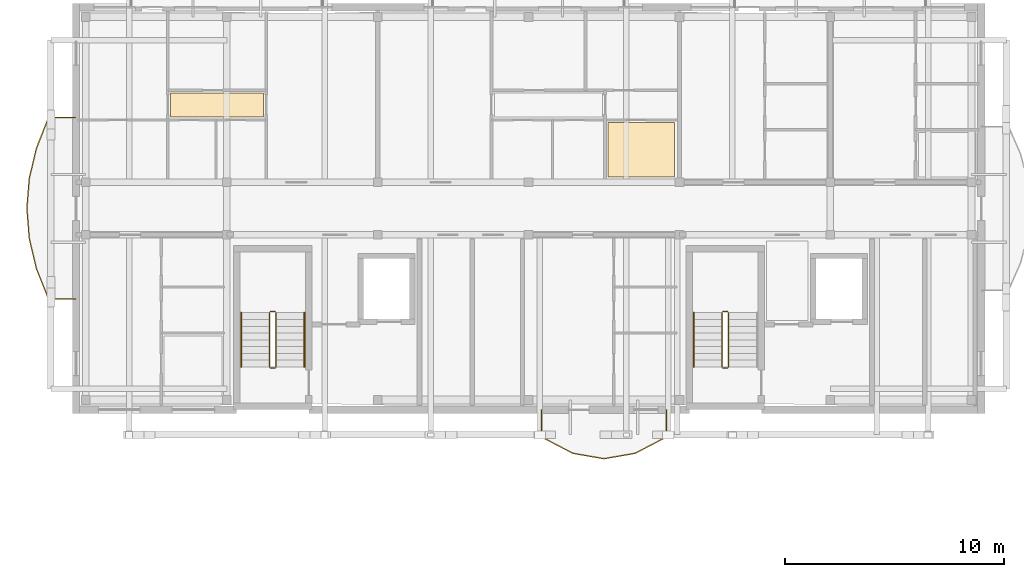
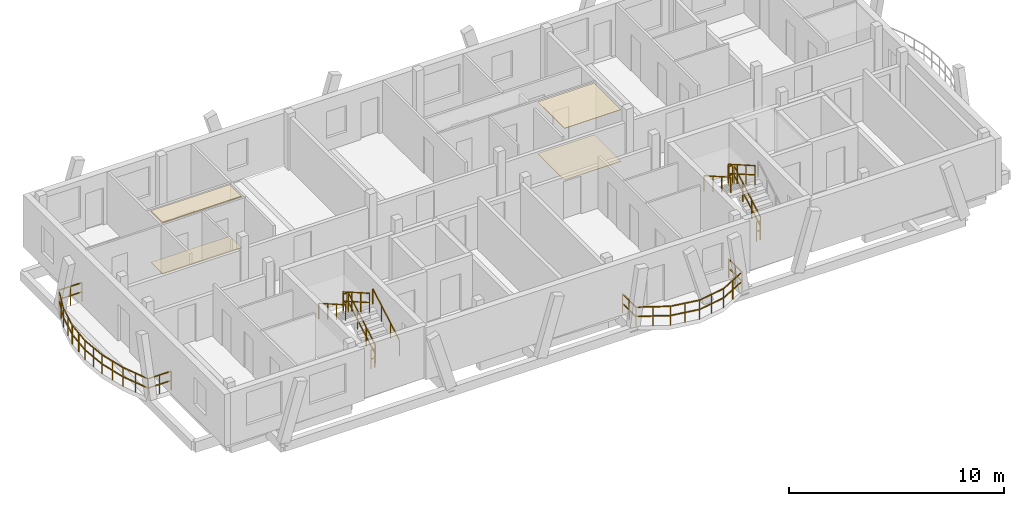
# One storey, part 26 of 29: 13 railings, 4 coverings.
"""IFC4 building model written with IfcOpenShell, lengths in metres."""

from ifc_helpers import new_model, si_unit, direction, frame, origin, origin_2d, place, context, subcontext, project, spatial, polyline, rectangle, outline, extrude, material, layer, layer_set, type_object, element, save


model = new_model("IFC4")

# Units and contexts
model_context = context("Model", 3, precision=1e-05, world=origin(), true_north=direction((0.0, 1.0)))
body_context = subcontext(model_context, "Body", "Model", "MODEL_VIEW")
ifc_project = project(units=[si_unit("LENGTHUNIT", "METRE"), si_unit("AREAUNIT", "SQUARE_METRE"), si_unit("VOLUMEUNIT", "CUBIC_METRE"), si_unit("PLANEANGLEUNIT", "RADIAN"), si_unit("MASSUNIT", "GRAM", prefix="KILO")], contexts=[model_context])

# Site, building, storey
site_placement = place(None, origin())
site = spatial("IfcSite", under=ifc_project, at=site_placement, CompositionType="ELEMENT")
building_placement = place(site_placement, origin())
building = spatial("IfcBuilding", under=site, at=building_placement, Name="Zavelmont Quarter", CompositionType="ELEMENT")
storey_placement = place(building_placement, frame((0.0, 0.0, 33.60009765625)))
storey = spatial("IfcBuildingStorey", under=building, at=storey_placement, Name="L10", CompositionType="ELEMENT", Elevation=33.60009765625)

# Coverings
ifc_material_1 = material(Name="Slatted European ash acoustic baffle ceiling")
ifc_layer_1 = layer(ifc_material_1, 0.0400390625)
ifc_layer_set_1 = layer_set([ifc_layer_1], Name="Slatted European ash acoustic baffle ceiling")
covering_type_1 = type_object("IfcCoveringType", Name="CV-CL02", PredefinedType="CEILING", material=ifc_layer_set_1)
covering_1_placement = place(storey_placement, frame((0.0, 0.0, 2.919921875)))
element("IfcCovering", 1, at=covering_1_placement, inside=storey, type_object=covering_type_1, Name="L10 Apartment Hall acoustic ceiling", PredefinedType="CEILING", context=body_context, shape_type="SweptSolid", body=[
    extrude(outline(polyline([(4.330078125, 112.070068359375), (8.570068359375, 112.070068359375), (8.570068359375, 110.97998046875), (4.330078125, 110.97998046875), (4.330078125, 112.070068359375)])), origin(), (0.0, 0.0, 1.0), 0.0400390625),
])
ifc_material_2 = material(Name="Moisture-resistant painted gypsum ceiling")
ifc_layer_2 = layer(ifc_material_2, 0.02001953125)
ifc_layer_set_2 = layer_set([ifc_layer_2], Name="Moisture-resistant painted gypsum ceiling")
covering_type_2 = type_object("IfcCoveringType", Name="CV-CL04", PredefinedType="CEILING", material=ifc_layer_set_2)
covering_2_placement = place(storey_placement, frame((0.0, 0.0, 2.93994140625)))
element("IfcCovering", 2, at=covering_2_placement, inside=storey, type_object=covering_type_2, Name="L10 Bathroom acoustic ceiling", PredefinedType="CEILING", context=body_context, shape_type="SweptSolid", body=[
    extrude(outline(polyline([(24.330078125, 110.719970703125), (27.3701171875, 110.719970703125), (27.3701171875, 108.239990234375), (27.360107421875, 108.239990234375), (27.360107421875, 108.22998046875), (24.330078125, 108.22998046875), (24.330078125, 110.719970703125)])), origin(), (0.0, 0.0, 1.0), 0.02001953125),
])
ifc_material_3 = material(Name="Honed Belgian bluestone tile", Category="masonry")
ifc_layer_3 = layer(ifc_material_3, 0.030029296875)
ifc_layer_set_3 = layer_set([ifc_layer_3], Name="Honed Belgian bluestone tile")
covering_type_3 = type_object("IfcCoveringType", Name="CV-FL02", PredefinedType="FLOORING", material=ifc_layer_set_3)
covering_3_placement = place(storey_placement, origin())
element("IfcCovering", 3, at=covering_3_placement, inside=storey, type_object=covering_type_3, Name="L10 Apartment Hall floor finish", PredefinedType="FLOORING", context=body_context, shape_type="SweptSolid", body=[
    extrude(outline(polyline([(4.330078125, 112.070068359375), (8.570068359375, 112.070068359375), (8.570068359375, 110.97998046875), (4.330078125, 110.97998046875), (4.330078125, 112.070068359375)])), origin(), (0.0, 0.0, 1.0), 0.02978515625),
])
ifc_material_4 = material(Name="Slip-resistant porcelain tile")
ifc_layer_4 = layer(ifc_material_4, 0.02587890625)
ifc_layer_set_4 = layer_set([ifc_layer_4], Name="Slip-resistant porcelain tile")
covering_type_4 = type_object("IfcCoveringType", Name="CV-FL04", PredefinedType="FLOORING", material=ifc_layer_set_4)
covering_4_placement = place(storey_placement, origin())
element("IfcCovering", 4, at=covering_4_placement, inside=storey, type_object=covering_type_4, Name="L10 Bathroom floor finish", PredefinedType="FLOORING", context=body_context, shape_type="SweptSolid", body=[
    extrude(outline(polyline([(24.330078125, 110.719970703125), (27.3701171875, 110.719970703125), (27.3701171875, 108.239990234375), (27.360107421875, 108.239990234375), (27.360107421875, 108.22998046875), (24.330078125, 108.22998046875), (24.330078125, 110.719970703125)])), origin(), (0.0, 0.0, 1.0), 0.02587890625),
])

# Railings
ifc_material_5 = material(Name="Powder-coated steel and tempered double safety glass", Category="steel")
railing_type_1 = type_object("IfcRailingType", Name="RL-BAL1", PredefinedType="BALUSTRADE", material=ifc_material_5)
railing_1_placement = place(storey_placement, frame((-0.02001953125, 110.94921875, 0.0)))
element("IfcRailing", 5, at=railing_1_placement, inside=storey, type_object=railing_type_1, Name="L10 Block B curved balcony guard RL-BAL1", PredefinedType="BALUSTRADE", context=body_context, shape_type="SweptSolid", body=[
    extrude(rectangle(XDim=0.048095703125, YDim=0.048095703125, at=origin_2d()), frame((0.0, 0.0, 1.076171875), z_axis=(-1.0, 0.0, 0.0), x_axis=(0.0, -1.0, 0.0)), (0.0, 0.0, 1.0), 1.239990234375),
    extrude(rectangle(XDim=0.048095703125, YDim=0.048095703125, at=origin_2d()), frame((0.0, 0.0, 0.550048828125), z_axis=(-1.0, 0.0, 0.0), x_axis=(0.0, -1.0, 0.0)), (0.0, 0.0, 1.0), 1.239990234375),
    extrude(rectangle(XDim=0.048095703125, YDim=0.048095703125, at=origin_2d()), frame((-1.239990234375, 0.0, 1.076171875), z_axis=(-0.369551720381, -0.92921016243, 0.0), x_axis=(0.92921016243, -0.369551720381, 0.0)), (0.0, 0.0, 1.0), 1.488525390625),
    extrude(rectangle(XDim=0.048095703125, YDim=0.048095703125, at=origin_2d()), frame((-1.239990234375, 0.0, 0.550048828125), z_axis=(-0.369551720381, -0.92921016243, 0.0), x_axis=(0.92921016243, -0.369551720381, 0.0)), (0.0, 0.0, 1.0), 1.488525390625),
    extrude(rectangle(XDim=0.048095703125, YDim=0.048095703125, at=origin_2d()), frame((-1.7900390625, -1.383056640625, 1.076171875), z_axis=(-0.231976454236, -0.972721401368, 0.0), x_axis=(0.972721401368, -0.231976454236, 0.0)), (0.0, 0.0, 1.0), 1.421875),
    extrude(rectangle(XDim=0.048095703125, YDim=0.048095703125, at=origin_2d()), frame((-1.7900390625, -1.383056640625, 0.550048828125), z_axis=(-0.231976454236, -0.972721401368, 0.0), x_axis=(0.972721401368, -0.231976454236, 0.0)), (0.0, 0.0, 1.0), 1.421875),
    extrude(rectangle(XDim=0.048095703125, YDim=0.048095703125, at=origin_2d()), frame((-2.119873046875, -2.76611328125, 1.076171875), z_axis=(-0.079360553536, -0.996845977342, 0.0), x_axis=(0.996845977342, -0.079360553536, 0.0)), (0.0, 0.0, 1.0), 1.387451171875),
    extrude(rectangle(XDim=0.048095703125, YDim=0.048095703125, at=origin_2d()), frame((-2.119873046875, -2.76611328125, 0.550048828125), z_axis=(-0.079360553536, -0.996845977342, 0.0), x_axis=(0.996845977342, -0.079360553536, 0.0)), (0.0, 0.0, 1.0), 1.387451171875),
    extrude(rectangle(XDim=0.048095703125, YDim=0.048095703125, at=origin_2d()), frame((-2.22998046875, -4.149169921875, 1.076171875), z_axis=(0.079360553536, -0.996845977342, 0.0), x_axis=(0.996845977342, 0.079360553536, 0.0)), (0.0, 0.0, 1.0), 1.387451171875),
    extrude(rectangle(XDim=0.048095703125, YDim=0.048095703125, at=origin_2d()), frame((-2.22998046875, -4.149169921875, 0.550048828125), z_axis=(0.079360553536, -0.996845977342, 0.0), x_axis=(0.996845977342, 0.079360553536, 0.0)), (0.0, 0.0, 1.0), 1.387451171875),
    extrude(rectangle(XDim=0.048095703125, YDim=0.048095703125, at=origin_2d()), frame((-2.119873046875, -5.5322265625, 1.076171875), z_axis=(0.231976454236, -0.972721401368, 0.0), x_axis=(0.972721401368, 0.231976454236, 0.0)), (0.0, 0.0, 1.0), 1.421875),
    extrude(rectangle(XDim=0.048095703125, YDim=0.048095703125, at=origin_2d()), frame((-2.119873046875, -5.5322265625, 0.550048828125), z_axis=(0.231976454236, -0.972721401368, 0.0), x_axis=(0.972721401368, 0.231976454236, 0.0)), (0.0, 0.0, 1.0), 1.421875),
    extrude(rectangle(XDim=0.048095703125, YDim=0.048095703125, at=origin_2d()), frame((-1.7900390625, -6.915283203125, 1.076171875), z_axis=(0.369551720381, -0.92921016243, 0.0), x_axis=(0.92921016243, 0.369551720381, 0.0)), (0.0, 0.0, 1.0), 1.488525390625),
    extrude(rectangle(XDim=0.048095703125, YDim=0.048095703125, at=origin_2d()), frame((-1.7900390625, -6.915283203125, 0.550048828125), z_axis=(0.369551720381, -0.92921016243, 0.0), x_axis=(0.92921016243, 0.369551720381, 0.0)), (0.0, 0.0, 1.0), 1.488525390625),
    extrude(rectangle(XDim=0.048095703125, YDim=0.048095703125, at=origin_2d()), frame((-1.239990234375, -8.29833984375, 1.076171875), z_axis=(1.0, 0.0, 0.0), x_axis=(0.0, 1.0, 0.0)), (0.0, 0.0, 1.0), 1.239990234375),
    extrude(rectangle(XDim=0.048095703125, YDim=0.048095703125, at=origin_2d()), frame((-1.239990234375, -8.29833984375, 0.550048828125), z_axis=(1.0, 0.0, 0.0), x_axis=(0.0, 1.0, 0.0)), (0.0, 0.0, 1.0), 1.239990234375),
    extrude(rectangle(XDim=0.0419921875, YDim=0.0419921875, at=origin_2d()), origin(), (0.0, 0.0, 1.0), 1.052001953125),
    extrude(rectangle(XDim=0.0419921875, YDim=0.0419921875, at=origin_2d()), frame((-0.6201171875, 0.0, 0.0)), (0.0, 0.0, 1.0), 1.052001953125),
    extrude(rectangle(XDim=0.0419921875, YDim=0.0419921875, at=origin_2d()), frame((-1.239990234375, 0.0, 0.0)), (0.0, 0.0, 1.0), 1.052001953125),
    extrude(rectangle(XDim=0.0419921875, YDim=0.0419921875, at=origin_2d()), frame((-1.51513671875, -0.69140625, 0.0)), (0.0, 0.0, 1.0), 1.052001953125),
    extrude(rectangle(XDim=0.0419921875, YDim=0.0419921875, at=origin_2d()), frame((-1.7900390625, -1.383056640625, 0.0)), (0.0, 0.0, 1.0), 1.052001953125),
    extrude(rectangle(XDim=0.0419921875, YDim=0.0419921875, at=origin_2d()), frame((-1.955078125, -2.07470703125, 0.0)), (0.0, 0.0, 1.0), 1.052001953125),
    extrude(rectangle(XDim=0.0419921875, YDim=0.0419921875, at=origin_2d()), frame((-2.119873046875, -2.76611328125, 0.0)), (0.0, 0.0, 1.0), 1.052001953125),
    extrude(rectangle(XDim=0.0419921875, YDim=0.0419921875, at=origin_2d()), frame((-2.1748046875, -3.45751953125, 0.0)), (0.0, 0.0, 1.0), 1.052001953125),
    extrude(rectangle(XDim=0.0419921875, YDim=0.0419921875, at=origin_2d()), frame((-2.22998046875, -4.149169921875, 0.0)), (0.0, 0.0, 1.0), 1.052001953125),
    extrude(rectangle(XDim=0.0419921875, YDim=0.0419921875, at=origin_2d()), frame((-2.1748046875, -4.8408203125, 0.0)), (0.0, 0.0, 1.0), 1.052001953125),
    extrude(rectangle(XDim=0.0419921875, YDim=0.0419921875, at=origin_2d()), frame((-2.119873046875, -5.5322265625, 0.0)), (0.0, 0.0, 1.0), 1.052001953125),
    extrude(rectangle(XDim=0.0419921875, YDim=0.0419921875, at=origin_2d()), frame((-1.955078125, -6.2236328125, 0.0)), (0.0, 0.0, 1.0), 1.052001953125),
    extrude(rectangle(XDim=0.0419921875, YDim=0.0419921875, at=origin_2d()), frame((-1.7900390625, -6.915283203125, 0.0)), (0.0, 0.0, 1.0), 1.052001953125),
    extrude(rectangle(XDim=0.0419921875, YDim=0.0419921875, at=origin_2d()), frame((-1.51513671875, -7.60693359375, 0.0)), (0.0, 0.0, 1.0), 1.052001953125),
    extrude(rectangle(XDim=0.0419921875, YDim=0.0419921875, at=origin_2d()), frame((-1.239990234375, -8.29833984375, 0.0)), (0.0, 0.0, 1.0), 1.052001953125),
    extrude(rectangle(XDim=0.0419921875, YDim=0.0419921875, at=origin_2d()), frame((-0.6201171875, -8.29833984375, 0.0)), (0.0, 0.0, 1.0), 1.052001953125),
    extrude(rectangle(XDim=0.0419921875, YDim=0.0419921875, at=origin_2d()), frame((0.0, -8.29833984375, 0.0)), (0.0, 0.0, 1.0), 1.052001953125),
])
railing_2_placement = place(storey_placement, frame((21.300048828125, 97.580078125, 0.0)))
element("IfcRailing", 6, at=railing_2_placement, inside=storey, type_object=railing_type_1, Name="L10 Block B curved balcony guard RL-BAL1", PredefinedType="BALUSTRADE", context=body_context, shape_type="SweptSolid", body=[
    extrude(rectangle(XDim=0.048095703125, YDim=0.048095703125, at=origin_2d()), frame((0.0, 0.0, 1.076171875), z_axis=(0.0, -1.0, 0.0), x_axis=(1.0, 0.0, 0.0)), (0.0, 0.0, 1.0), 1.239990234375),
    extrude(rectangle(XDim=0.048095703125, YDim=0.048095703125, at=origin_2d()), frame((0.0, 0.0, 0.550048828125), z_axis=(0.0, -1.0, 0.0), x_axis=(1.0, 0.0, 0.0)), (0.0, 0.0, 1.0), 1.239990234375),
    extrude(rectangle(XDim=0.048095703125, YDim=0.048095703125, at=origin_2d()), frame((0.0, -1.239990234375, 1.076171875), z_axis=(0.886796051403, -0.46216097111, 0.0), x_axis=(0.46216097111, 0.886796051403, 0.0)), (0.0, 0.0, 1.0), 1.60693359375),
    extrude(rectangle(XDim=0.048095703125, YDim=0.048095703125, at=origin_2d()), frame((0.0, -1.239990234375, 0.550048828125), z_axis=(0.886796051403, -0.46216097111, 0.0), x_axis=(0.46216097111, 0.886796051403, 0.0)), (0.0, 0.0, 1.0), 1.60693359375),
    extrude(rectangle(XDim=0.048095703125, YDim=0.048095703125, at=origin_2d()), frame((1.425048828125, -1.982666015625, 1.076171875), z_axis=(0.985267461637, -0.171020551514, 0.0), x_axis=(0.171020551514, 0.985267461637, 0.0)), (0.0, 0.0, 1.0), 1.446044921875),
    extrude(rectangle(XDim=0.048095703125, YDim=0.048095703125, at=origin_2d()), frame((1.425048828125, -1.982666015625, 0.550048828125), z_axis=(0.985267461637, -0.171020551514, 0.0), x_axis=(0.171020551514, 0.985267461637, 0.0)), (0.0, 0.0, 1.0), 1.446044921875),
    extrude(rectangle(XDim=0.048095703125, YDim=0.048095703125, at=origin_2d()), frame((2.849853515625, -2.22998046875, 1.076171875), z_axis=(0.985272398227, 0.170992108858, 0.0), x_axis=(-0.170992108858, 0.985272398227, 0.0)), (0.0, 0.0, 1.0), 1.4462890625),
    extrude(rectangle(XDim=0.048095703125, YDim=0.048095703125, at=origin_2d()), frame((2.849853515625, -2.22998046875, 0.550048828125), z_axis=(0.985272398227, 0.170992108858, 0.0), x_axis=(-0.170992108858, 0.985272398227, 0.0)), (0.0, 0.0, 1.0), 1.4462890625),
    extrude(rectangle(XDim=0.048095703125, YDim=0.048095703125, at=origin_2d()), frame((4.27490234375, -1.982666015625, 1.076171875), z_axis=(0.886796051403, 0.46216097111, 0.0), x_axis=(-0.46216097111, 0.886796051403, 0.0)), (0.0, 0.0, 1.0), 1.60693359375),
    extrude(rectangle(XDim=0.048095703125, YDim=0.048095703125, at=origin_2d()), frame((4.27490234375, -1.982666015625, 0.550048828125), z_axis=(0.886796051403, 0.46216097111, 0.0), x_axis=(-0.46216097111, 0.886796051403, 0.0)), (0.0, 0.0, 1.0), 1.60693359375),
    extrude(rectangle(XDim=0.048095703125, YDim=0.048095703125, at=origin_2d()), frame((5.699951171875, -1.239990234375, 1.076171875), z_axis=(0.0, 1.0, 0.0), x_axis=(-1.0, 0.0, 0.0)), (0.0, 0.0, 1.0), 1.239990234375),
    extrude(rectangle(XDim=0.048095703125, YDim=0.048095703125, at=origin_2d()), frame((5.699951171875, -1.239990234375, 0.550048828125), z_axis=(0.0, 1.0, 0.0), x_axis=(-1.0, 0.0, 0.0)), (0.0, 0.0, 1.0), 1.239990234375),
    extrude(rectangle(XDim=0.0419921875, YDim=0.0419921875, at=origin_2d()), origin(), (0.0, 0.0, 1.0), 1.052001953125),
    extrude(rectangle(XDim=0.0419921875, YDim=0.0419921875, at=origin_2d()), frame((0.0, -0.6201171875, 0.0)), (0.0, 0.0, 1.0), 1.052001953125),
    extrude(rectangle(XDim=0.0419921875, YDim=0.0419921875, at=origin_2d()), frame((0.0, -1.239990234375, 0.0)), (0.0, 0.0, 1.0), 1.052001953125),
    extrude(rectangle(XDim=0.0419921875, YDim=0.0419921875, at=origin_2d()), frame((0.71240234375, -1.611328125, 0.0)), (0.0, 0.0, 1.0), 1.052001953125),
    extrude(rectangle(XDim=0.0419921875, YDim=0.0419921875, at=origin_2d()), frame((1.425048828125, -1.982666015625, 0.0)), (0.0, 0.0, 1.0), 1.052001953125),
    extrude(rectangle(XDim=0.0419921875, YDim=0.0419921875, at=origin_2d()), frame((2.137451171875, -2.1064453125, 0.0)), (0.0, 0.0, 1.0), 1.052001953125),
    extrude(rectangle(XDim=0.0419921875, YDim=0.0419921875, at=origin_2d()), frame((2.849853515625, -2.22998046875, 0.0)), (0.0, 0.0, 1.0), 1.052001953125),
    extrude(rectangle(XDim=0.0419921875, YDim=0.0419921875, at=origin_2d()), frame((3.5625, -2.1064453125, 0.0)), (0.0, 0.0, 1.0), 1.052001953125),
    extrude(rectangle(XDim=0.0419921875, YDim=0.0419921875, at=origin_2d()), frame((4.27490234375, -1.982666015625, 0.0)), (0.0, 0.0, 1.0), 1.052001953125),
    extrude(rectangle(XDim=0.0419921875, YDim=0.0419921875, at=origin_2d()), frame((4.9873046875, -1.611328125, 0.0)), (0.0, 0.0, 1.0), 1.052001953125),
    extrude(rectangle(XDim=0.0419921875, YDim=0.0419921875, at=origin_2d()), frame((5.699951171875, -1.239990234375, 0.0)), (0.0, 0.0, 1.0), 1.052001953125),
    extrude(rectangle(XDim=0.0419921875, YDim=0.0419921875, at=origin_2d()), frame((5.699951171875, -0.6201171875, 0.0)), (0.0, 0.0, 1.0), 1.052001953125),
    extrude(rectangle(XDim=0.0419921875, YDim=0.0419921875, at=origin_2d()), frame((5.699951171875, 0.0, 0.0)), (0.0, 0.0, 1.0), 1.052001953125),
])
ifc_material_6 = material(Name="Powder-coated steel stair guardrail", Category="steel")
railing_type_2 = type_object("IfcRailingType", Name="RL-GRD1", PredefinedType="GUARDRAIL", material=ifc_material_6)
railing_3_placement = place(storey_placement, frame((9.14990234375, 99.550048828125, 0.177734375)))
element("IfcRailing", 7, at=railing_3_placement, inside=storey, type_object=railing_type_2, Name="L10 ST03 stair guardrail 1", PredefinedType="GUARDRAIL", context=body_context, shape_type="SweptSolid", body=[
    extrude(rectangle(XDim=0.048095703125, YDim=0.048095703125, at=origin_2d()), frame((0.0, 0.0, 1.076171875), z_axis=(0.0, 0.867490628297, 0.497453525283), x_axis=(-1.0, 0.0, 0.0)), (0.0, 0.0, 1.0), 2.85888671875),
    extrude(rectangle(XDim=0.048095703125, YDim=0.048095703125, at=origin_2d()), frame((0.0, 0.0, 0.550048828125), z_axis=(0.0, 0.867490628297, 0.497453525283), x_axis=(-1.0, 0.0, 0.0)), (0.0, 0.0, 1.0), 2.85888671875),
    extrude(rectangle(XDim=0.0419921875, YDim=0.0419921875, at=origin_2d()), origin(), (0.0, 0.0, 1.0), 1.052001953125),
    extrude(rectangle(XDim=0.0419921875, YDim=0.0419921875, at=origin_2d()), frame((0.0, 0.82666015625, 0.47412109375)), (0.0, 0.0, 1.0), 1.052001953125),
    extrude(rectangle(XDim=0.0419921875, YDim=0.0419921875, at=origin_2d()), frame((0.0, 1.6533203125, 0.947998046875)), (0.0, 0.0, 1.0), 1.052001953125),
    extrude(rectangle(XDim=0.0419921875, YDim=0.0419921875, at=origin_2d()), frame((0.0, 2.47998046875, 1.422119140625)), (0.0, 0.0, 1.0), 1.052001953125),
])
railing_4_placement = place(storey_placement, frame((9.10009765625, 102.080078125, 1.599853515625)))
element("IfcRailing", 8, at=railing_4_placement, inside=storey, type_object=railing_type_2, Name="L10 ST03 stair guardrail 2", PredefinedType="GUARDRAIL", context=body_context, shape_type="SweptSolid", body=[
    extrude(rectangle(XDim=0.048095703125, YDim=0.048095703125, at=origin_2d()), frame((0.0, 0.0, 1.076171875), z_axis=(-1.0, 0.0, 0.0), x_axis=(0.0, -1.0, 0.0)), (0.0, 0.0, 1.0), 0.2001953125),
    extrude(rectangle(XDim=0.048095703125, YDim=0.048095703125, at=origin_2d()), frame((0.0, 0.0, 0.550048828125), z_axis=(-1.0, 0.0, 0.0), x_axis=(0.0, -1.0, 0.0)), (0.0, 0.0, 1.0), 0.2001953125),
    extrude(rectangle(XDim=0.0419921875, YDim=0.0419921875, at=origin_2d()), origin(), (0.0, 0.0, 1.0), 1.052001953125),
    extrude(rectangle(XDim=0.0419921875, YDim=0.0419921875, at=origin_2d()), frame((-0.2001953125, 0.0, 0.0)), (0.0, 0.0, 1.0), 1.052001953125),
])
railing_5_placement = place(storey_placement, frame((8.85009765625, 102.030029296875, 1.777587890625)))
element("IfcRailing", 9, at=railing_5_placement, inside=storey, type_object=railing_type_2, Name="L10 ST03 stair guardrail 3", PredefinedType="GUARDRAIL", context=body_context, shape_type="SweptSolid", body=[
    extrude(rectangle(XDim=0.048095703125, YDim=0.048095703125, at=origin_2d()), frame((0.0, 0.0, 1.076171875), z_axis=(0.0, -0.867453774394, 0.497517787913), x_axis=(1.0, 0.0, 0.0)), (0.0, 0.0, 1.0), 2.85888671875),
    extrude(rectangle(XDim=0.048095703125, YDim=0.048095703125, at=origin_2d()), frame((0.0, 0.0, 0.550048828125), z_axis=(0.0, -0.867453774394, 0.497517787913), x_axis=(1.0, 0.0, 0.0)), (0.0, 0.0, 1.0), 2.85888671875),
    extrude(rectangle(XDim=0.0419921875, YDim=0.0419921875, at=origin_2d()), origin(), (0.0, 0.0, 1.0), 1.052001953125),
    extrude(rectangle(XDim=0.0419921875, YDim=0.0419921875, at=origin_2d()), frame((0.0, -0.82666015625, 0.47412109375)), (0.0, 0.0, 1.0), 1.052001953125),
    extrude(rectangle(XDim=0.0419921875, YDim=0.0419921875, at=origin_2d()), frame((0.0, -1.6533203125, 0.9482421875)), (0.0, 0.0, 1.0), 1.052001953125),
    extrude(rectangle(XDim=0.0419921875, YDim=0.0419921875, at=origin_2d()), frame((0.0, -2.47998046875, 1.42236328125)), (0.0, 0.0, 1.0), 1.052001953125),
])
railing_6_placement = place(storey_placement, frame((9.10009765625, 99.5, 0.0)))
element("IfcRailing", 10, at=railing_6_placement, inside=storey, type_object=railing_type_2, Name="L10 ST03 stair guardrail 4", PredefinedType="GUARDRAIL", context=body_context, shape_type="SweptSolid", body=[
    extrude(rectangle(XDim=0.048095703125, YDim=0.048095703125, at=origin_2d()), frame((0.0, 0.0, 1.076171875), z_axis=(-1.0, 0.0, 0.0), x_axis=(0.0, -1.0, 0.0)), (0.0, 0.0, 1.0), 0.2001953125),
    extrude(rectangle(XDim=0.048095703125, YDim=0.048095703125, at=origin_2d()), frame((0.0, 0.0, 0.550048828125), z_axis=(-1.0, 0.0, 0.0), x_axis=(0.0, -1.0, 0.0)), (0.0, 0.0, 1.0), 0.2001953125),
    extrude(rectangle(XDim=0.0419921875, YDim=0.0419921875, at=origin_2d()), origin(), (0.0, 0.0, 1.0), 1.052001953125),
    extrude(rectangle(XDim=0.0419921875, YDim=0.0419921875, at=origin_2d()), frame((-0.2001953125, 0.0, 0.0)), (0.0, 0.0, 1.0), 1.052001953125),
])
railing_7_placement = place(storey_placement, frame((29.85009765625, 99.550048828125, 0.177734375)))
element("IfcRailing", 11, at=railing_7_placement, inside=storey, type_object=railing_type_2, Name="L10 ST04 stair guardrail 1", PredefinedType="GUARDRAIL", context=body_context, shape_type="SweptSolid", body=[
    extrude(rectangle(XDim=0.048095703125, YDim=0.048095703125, at=origin_2d()), frame((0.0, 0.0, 1.076171875), z_axis=(0.0, 0.867490628297, 0.497453525283), x_axis=(-1.0, 0.0, 0.0)), (0.0, 0.0, 1.0), 2.85888671875),
    extrude(rectangle(XDim=0.048095703125, YDim=0.048095703125, at=origin_2d()), frame((0.0, 0.0, 0.550048828125), z_axis=(0.0, 0.867490628297, 0.497453525283), x_axis=(-1.0, 0.0, 0.0)), (0.0, 0.0, 1.0), 2.85888671875),
    extrude(rectangle(XDim=0.0419921875, YDim=0.0419921875, at=origin_2d()), origin(), (0.0, 0.0, 1.0), 1.052001953125),
    extrude(rectangle(XDim=0.0419921875, YDim=0.0419921875, at=origin_2d()), frame((0.0, 0.82666015625, 0.47412109375)), (0.0, 0.0, 1.0), 1.052001953125),
    extrude(rectangle(XDim=0.0419921875, YDim=0.0419921875, at=origin_2d()), frame((0.0, 1.6533203125, 0.947998046875)), (0.0, 0.0, 1.0), 1.052001953125),
    extrude(rectangle(XDim=0.0419921875, YDim=0.0419921875, at=origin_2d()), frame((0.0, 2.47998046875, 1.422119140625)), (0.0, 0.0, 1.0), 1.052001953125),
])
railing_8_placement = place(storey_placement, frame((29.800048828125, 102.080078125, 1.599853515625)))
element("IfcRailing", 12, at=railing_8_placement, inside=storey, type_object=railing_type_2, Name="L10 ST04 stair guardrail 2", PredefinedType="GUARDRAIL", context=body_context, shape_type="SweptSolid", body=[
    extrude(rectangle(XDim=0.048095703125, YDim=0.048095703125, at=origin_2d()), frame((0.0, 0.0, 1.076171875), z_axis=(-1.0, 0.0, 0.0), x_axis=(0.0, -1.0, 0.0)), (0.0, 0.0, 1.0), 0.199951171875),
    extrude(rectangle(XDim=0.048095703125, YDim=0.048095703125, at=origin_2d()), frame((0.0, 0.0, 0.550048828125), z_axis=(-1.0, 0.0, 0.0), x_axis=(0.0, -1.0, 0.0)), (0.0, 0.0, 1.0), 0.199951171875),
    extrude(rectangle(XDim=0.0419921875, YDim=0.0419921875, at=origin_2d()), origin(), (0.0, 0.0, 1.0), 1.052001953125),
    extrude(rectangle(XDim=0.0419921875, YDim=0.0419921875, at=origin_2d()), frame((-0.199951171875, 0.0, 0.0)), (0.0, 0.0, 1.0), 1.052001953125),
])
railing_9_placement = place(storey_placement, frame((29.550048828125, 102.030029296875, 1.777587890625)))
element("IfcRailing", 13, at=railing_9_placement, inside=storey, type_object=railing_type_2, Name="L10 ST04 stair guardrail 3", PredefinedType="GUARDRAIL", context=body_context, shape_type="SweptSolid", body=[
    extrude(rectangle(XDim=0.048095703125, YDim=0.048095703125, at=origin_2d()), frame((0.0, 0.0, 1.076171875), z_axis=(0.0, -0.867453774394, 0.497517787913), x_axis=(1.0, 0.0, 0.0)), (0.0, 0.0, 1.0), 2.85888671875),
    extrude(rectangle(XDim=0.048095703125, YDim=0.048095703125, at=origin_2d()), frame((0.0, 0.0, 0.550048828125), z_axis=(0.0, -0.867453774394, 0.497517787913), x_axis=(1.0, 0.0, 0.0)), (0.0, 0.0, 1.0), 2.85888671875),
    extrude(rectangle(XDim=0.0419921875, YDim=0.0419921875, at=origin_2d()), origin(), (0.0, 0.0, 1.0), 1.052001953125),
    extrude(rectangle(XDim=0.0419921875, YDim=0.0419921875, at=origin_2d()), frame((0.0, -0.82666015625, 0.47412109375)), (0.0, 0.0, 1.0), 1.052001953125),
    extrude(rectangle(XDim=0.0419921875, YDim=0.0419921875, at=origin_2d()), frame((0.0, -1.6533203125, 0.9482421875)), (0.0, 0.0, 1.0), 1.052001953125),
    extrude(rectangle(XDim=0.0419921875, YDim=0.0419921875, at=origin_2d()), frame((0.0, -2.47998046875, 1.42236328125)), (0.0, 0.0, 1.0), 1.052001953125),
])
railing_10_placement = place(storey_placement, frame((29.800048828125, 99.5, 0.0)))
element("IfcRailing", 14, at=railing_10_placement, inside=storey, type_object=railing_type_2, Name="L10 ST04 stair guardrail 4", PredefinedType="GUARDRAIL", context=body_context, shape_type="SweptSolid", body=[
    extrude(rectangle(XDim=0.048095703125, YDim=0.048095703125, at=origin_2d()), frame((0.0, 0.0, 1.076171875), z_axis=(-1.0, 0.0, 0.0), x_axis=(0.0, -1.0, 0.0)), (0.0, 0.0, 1.0), 0.199951171875),
    extrude(rectangle(XDim=0.048095703125, YDim=0.048095703125, at=origin_2d()), frame((0.0, 0.0, 0.550048828125), z_axis=(-1.0, 0.0, 0.0), x_axis=(0.0, -1.0, 0.0)), (0.0, 0.0, 1.0), 0.199951171875),
    extrude(rectangle(XDim=0.0419921875, YDim=0.0419921875, at=origin_2d()), origin(), (0.0, 0.0, 1.0), 1.052001953125),
    extrude(rectangle(XDim=0.0419921875, YDim=0.0419921875, at=origin_2d()), frame((-0.199951171875, 0.0, 0.0)), (0.0, 0.0, 1.0), 1.052001953125),
])
ifc_material_7 = material(Name="Brushed stainless-steel wall handrail", Category="steel")
railing_type_3 = type_object("IfcRailingType", Name="RL-HND1", PredefinedType="HANDRAIL", material=ifc_material_7)
railing_11_placement = place(storey_placement, frame((10.449951171875, 99.550048828125, 0.177734375)))
element("IfcRailing", 15, at=railing_11_placement, inside=storey, type_object=railing_type_3, Name="L10 ST03 stair handrail 1", PredefinedType="HANDRAIL", context=body_context, shape_type="SweptSolid", body=[
    extrude(rectangle(XDim=0.048095703125, YDim=0.048095703125, at=origin_2d()), frame((0.0, 0.0, 0.8759765625), z_axis=(0.0, 0.867490628297, 0.497453525283), x_axis=(-1.0, 0.0, 0.0)), (0.0, 0.0, 1.0), 2.85888671875),
    extrude(rectangle(XDim=0.0419921875, YDim=0.0419921875, at=origin_2d()), origin(), (0.0, 0.0, 1.0), 0.851806640625),
    extrude(rectangle(XDim=0.0419921875, YDim=0.0419921875, at=origin_2d()), frame((0.0, 0.82666015625, 0.47412109375)), (0.0, 0.0, 1.0), 0.851806640625),
    extrude(rectangle(XDim=0.0419921875, YDim=0.0419921875, at=origin_2d()), frame((0.0, 1.6533203125, 0.947998046875)), (0.0, 0.0, 1.0), 0.851806640625),
    extrude(rectangle(XDim=0.0419921875, YDim=0.0419921875, at=origin_2d()), frame((0.0, 2.47998046875, 1.422119140625)), (0.0, 0.0, 1.0), 0.851806640625),
])
for number, where, name in (
    (16, (7.550048828125, 102.030029296875, 1.777587890625), "L10 ST03 stair handrail 2"),
    (17, (28.25, 102.030029296875, 1.777587890625), "L10 ST04 stair handrail 2"),
):
    element("IfcRailing", number, at=place(storey_placement, frame(where)), inside=storey, type_object=railing_type_3, Name=name, PredefinedType="HANDRAIL", context=body_context, shape_type="SweptSolid", body=[
        extrude(rectangle(XDim=0.048095703125, YDim=0.048095703125, at=origin_2d()), frame((0.0, 0.0, 0.8759765625), z_axis=(0.0, -0.867453774394, 0.497517787913), x_axis=(1.0, 0.0, 0.0)), (0.0, 0.0, 1.0), 2.85888671875),
        extrude(rectangle(XDim=0.0419921875, YDim=0.0419921875, at=origin_2d()), origin(), (0.0, 0.0, 1.0), 0.851806640625),
        extrude(rectangle(XDim=0.0419921875, YDim=0.0419921875, at=origin_2d()), frame((0.0, -0.82666015625, 0.47412109375)), (0.0, 0.0, 1.0), 0.851806640625),
        extrude(rectangle(XDim=0.0419921875, YDim=0.0419921875, at=origin_2d()), frame((0.0, -1.6533203125, 0.9482421875)), (0.0, 0.0, 1.0), 0.851806640625),
        extrude(rectangle(XDim=0.0419921875, YDim=0.0419921875, at=origin_2d()), frame((0.0, -2.47998046875, 1.42236328125)), (0.0, 0.0, 1.0), 0.851806640625),
    ])

save(model, "model.ifc")
